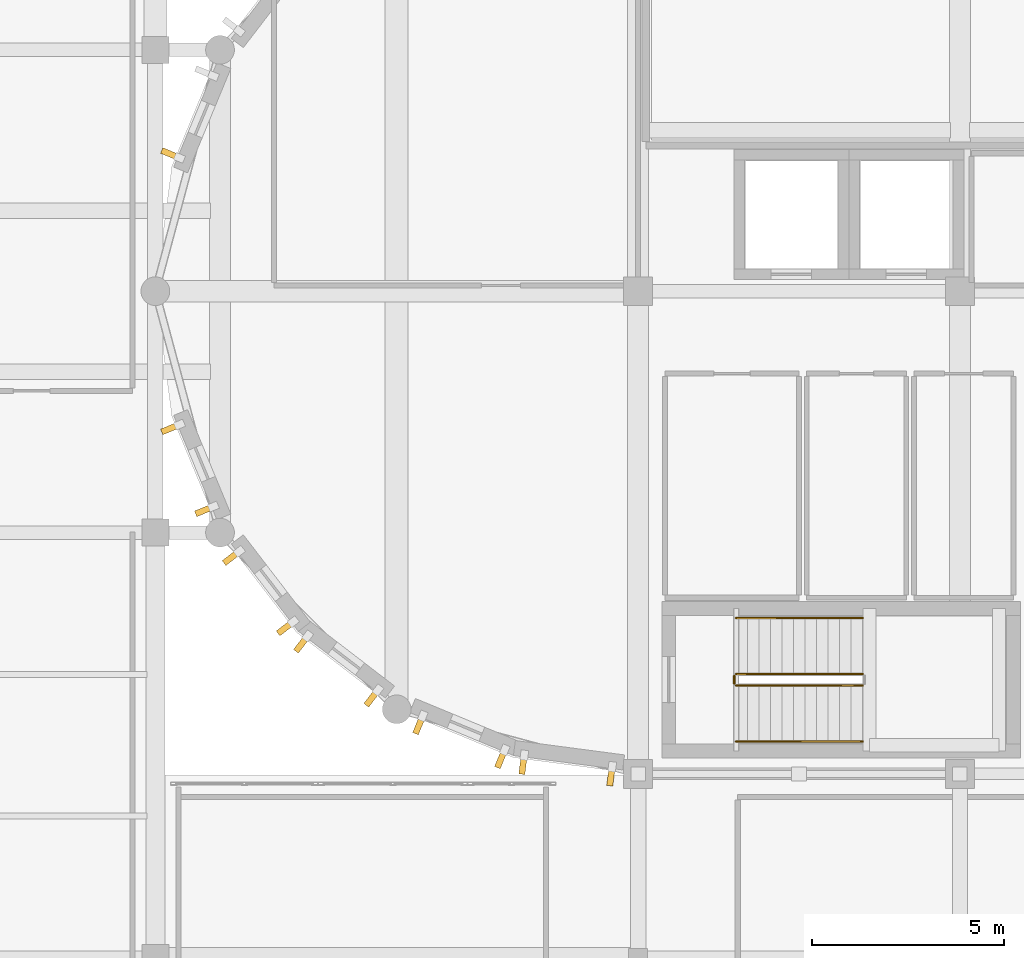
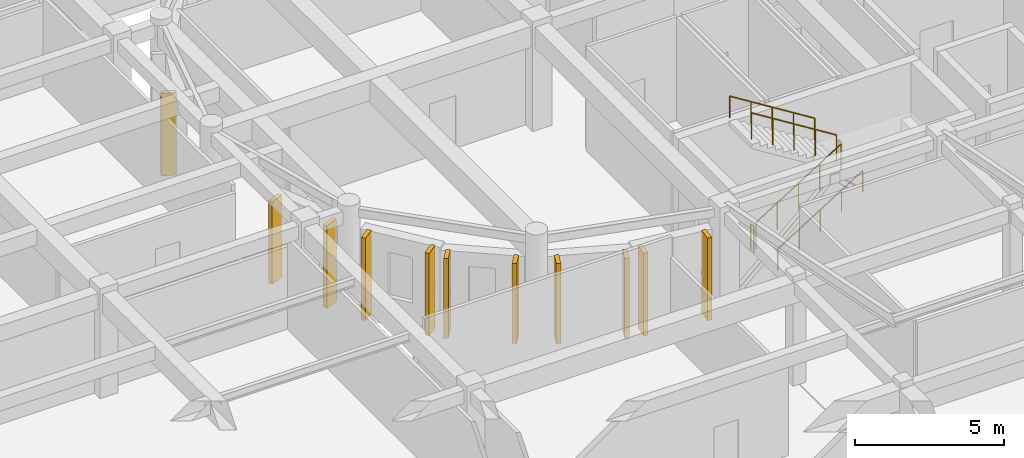
# One storey, part 84 of 91: 11 coverings, 5 railings.
"""IFC4 building model written with IfcOpenShell, lengths in metres."""

import ifcopenshell
import ifcopenshell.guid

model = None  # the IFC model being written
_history = None  # IfcOwnerHistory: only IFC2X3 demands one
_inside = {}  # id of a spatial element -> (the spatial element, [elements in it])
_under = {}  # id of a project, library or spatial element -> (it, [spatial elements below it])
_declared = {}  # id of a project -> (the project, [libraries it declares])
_typed = {}  # id of a type object -> (the type object, [elements of that type])
_made_of = {}  # id of a material, layer set ... -> (it, [elements and type objects made of it])


def new_model(schema):
    """Start an empty IFC model of exactly this schema.

    Asked for "IFC4X3", IfcOpenShell would pick the latest addendum, in which some entities
    have other attributes; the version numbers below select the first issue.
    IFC2X3 requires an IfcOwnerHistory on every rooted entity: one is made here for all.
    """
    global model, _history
    if schema == "IFC4X3":
        model = ifcopenshell.file(schema_version=(4, 3, 0, 0))
    else:
        model = ifcopenshell.file(schema=schema)
    _inside.clear()
    _under.clear()
    _declared.clear()
    _typed.clear()
    _made_of.clear()
    _history = None
    if model.schema == "IFC2X3":
        org = make("IfcOrganization", Name="unknown")
        user = make(
            "IfcPersonAndOrganization",
            ThePerson=make("IfcPerson", FamilyName="unknown"),
            TheOrganization=org,
        )
        app = make(
            "IfcApplication",
            ApplicationDeveloper=org,
            Version="unknown",
            ApplicationFullName="unknown",
            ApplicationIdentifier="unknown",
        )
        _history = make(
            "IfcOwnerHistory",
            OwningUser=user,
            OwningApplication=app,
            ChangeAction="ADDED",
            CreationDate=0,
        )
    return model


def make(cls, **values):
    """One entity of the class cls with the attributes given. An attribute that is None is left unset."""
    return model.create_entity(
        cls, **{name: value for name, value in values.items() if value is not None}
    )


def rooted(cls, **values):
    """An entity with a GlobalId (a new one), such as an element, a storey or a relation."""
    return make(cls, GlobalId=ifcopenshell.guid.new(), OwnerHistory=_history, **values)


def si_unit(unit_type, name, prefix=None):
    """IfcSIUnit, for example si_unit("LENGTHUNIT", "METRE", prefix="MILLI")."""
    return make("IfcSIUnit", UnitType=unit_type, Prefix=prefix, Name=name)


def assignment(units):
    """IfcUnitAssignment: the units of a project."""
    return None if units is None else make("IfcUnitAssignment", Units=units)


def point(xyz):
    """IfcCartesianPoint."""
    return None if xyz is None else make("IfcCartesianPoint", Coordinates=xyz)


def direction(xyz):
    """IfcDirection."""
    return None if xyz is None else make("IfcDirection", DirectionRatios=xyz)


def frame(location, z_axis=None, x_axis=None):
    """IfcAxis2Placement3D, a coordinate frame: its origin and axes. An axis left out is left unset."""
    return make(
        "IfcAxis2Placement3D",
        Location=point(location),
        Axis=direction(z_axis),
        RefDirection=direction(x_axis),
    )


def frame_2d(location, x_axis=None):
    """IfcAxis2Placement2D, a coordinate frame in the plane: its origin and x axis."""
    return make(
        "IfcAxis2Placement2D", Location=point(location), RefDirection=direction(x_axis)
    )


def origin():
    """The frame at (0, 0, 0) with its axes left unset."""
    return frame((0.0, 0.0, 0.0))


def origin_2d():
    """The frame at (0, 0) in the plane with its x axis left unset."""
    return frame_2d((0.0, 0.0))


def place(relative_to, where):
    """IfcLocalPlacement: puts the frame where relative to a parent placement (None: the world)."""
    return make(
        "IfcLocalPlacement", PlacementRelTo=relative_to, RelativePlacement=where
    )


def context(
    kind, dimensions, precision=None, world=None, true_north=None, identifier=None
):
    """IfcGeometricRepresentationContext, for example the 3D "Model" context."""
    return make(
        "IfcGeometricRepresentationContext",
        ContextIdentifier=identifier,
        ContextType=kind,
        CoordinateSpaceDimension=dimensions,
        Precision=precision,
        WorldCoordinateSystem=world,
        TrueNorth=true_north,
    )


def subcontext(parent, identifier, kind, view, scale=None):
    """IfcGeometricRepresentationSubContext, for example "Body" below "Model"."""
    return make(
        "IfcGeometricRepresentationSubContext",
        ContextIdentifier=identifier,
        ContextType=kind,
        ParentContext=parent,
        TargetScale=scale,
        TargetView=view,
    )


def project(units=None, contexts=None):
    """IfcProject with its units and contexts."""
    return rooted(
        "IfcProject",
        Name="project",
        RepresentationContexts=contexts,
        UnitsInContext=assignment(units),
    )


def spatial(cls, under=None, at=None, **own):
    """A site, building, storey or space (cls), placed at a placement, below another one or the project."""
    s = rooted(cls, ObjectPlacement=at, **own)
    if under is not None:
        _under.setdefault(under.id(), (under, []))[1].append(s)
    return s


def profile(cls, at=None, kind="AREA", **sizes):
    """A parametric profile (cls). Its sizes go by their IFC names, for example OverallWidth=200.0."""
    return make(cls, ProfileType=kind, Position=at, **sizes)


def rectangle(**sizes):
    """IfcRectangleProfileDef."""
    return profile("IfcRectangleProfileDef", **sizes)


def circle(**sizes):
    """IfcCircleProfileDef."""
    return profile("IfcCircleProfileDef", **sizes)


def extrude(swept, where, along, depth):
    """IfcExtrudedAreaSolid: the profile swept, set in the frame where, extruded along a direction by depth."""
    return make(
        "IfcExtrudedAreaSolid",
        SweptArea=swept,
        Position=where,
        ExtrudedDirection=direction(along),
        Depth=depth,
    )


def shape(context_of_items, identifier, shape_type, items):
    """IfcShapeRepresentation: the items that make up one representation, for example the "Body"."""
    return make(
        "IfcShapeRepresentation",
        ContextOfItems=context_of_items,
        RepresentationIdentifier=identifier,
        RepresentationType=shape_type,
        Items=items,
    )


def material(Name=None, Category=None):
    """IfcMaterial."""
    return make("IfcMaterial", Name=Name, Category=Category)


def layer(
    of_material, thickness, ventilated=None, Name=None, Category=None, Priority=None
):
    """IfcMaterialLayer: one layer of a wall or slab, of a material (None: an air gap)."""
    return make(
        "IfcMaterialLayer",
        Material=of_material,
        LayerThickness=thickness,
        IsVentilated=ventilated,
        Name=Name,
        Category=Category,
        Priority=Priority,
    )


def layer_set(layers, Name=None):
    """IfcMaterialLayerSet."""
    return make("IfcMaterialLayerSet", MaterialLayers=layers, LayerSetName=Name)


def made_of(thing, what):
    """Note that an element or type object is made of a material, layer set ...; save() writes the relation."""
    if what is not None:
        _made_of.setdefault(what.id(), (what, []))[1].append(thing)
    return thing


def type_object(cls, material=None, **own):
    """A type object (cls), such as IfcWallType, which elements share."""
    return made_of(rooted(cls, **own), material)


def element(
    cls,
    number,
    at=None,
    inside=None,
    cuts=None,
    type_object=None,
    material=None,
    context=None,
    identifier="Body",
    shape_type=None,
    held_by="IfcProductDefinitionShape",
    body=None,
    shapes=None,
    **own,
):
    """One element of the class cls, such as IfcWall. Its Tag is "e" and its number.

    at: its placement. inside: the storey or other place that contains it. cuts: it is an
    opening in that element (IfcRelVoidsElement). A single representation is given by context,
    identifier, shape_type and body (its items); several are given by shapes. held_by: the class
    of the entity that holds the representations. save() writes the other relations.
    """
    e = rooted(cls, Tag="e%d" % number, ObjectPlacement=at, **own)
    if body is not None:
        shapes = [shape(context, identifier, shape_type, body)]
    if shapes is not None:
        e.Representation = make(held_by, Representations=shapes)
    if inside is not None:
        _inside.setdefault(inside.id(), (inside, []))[1].append(e)
    if cuts is not None:
        rooted(
            "IfcRelVoidsElement", RelatingBuildingElement=cuts, RelatedOpeningElement=e
        )
    if type_object is not None:
        _typed.setdefault(type_object.id(), (type_object, []))[1].append(e)
    return made_of(e, material)


def aggregate(whole, parts):
    """IfcRelAggregates: a whole, such as a stair, and the parts it consists of."""
    return rooted("IfcRelAggregates", RelatingObject=whole, RelatedObjects=parts)


def save(model, path):
    """Write the relations noted so far, then the file.

    IfcRelAggregates (storeys below a building ...), IfcRelContainedInSpatialStructure (elements
    in a storey), IfcRelDefinesByType, IfcRelAssociatesMaterial and IfcRelDeclares: one each for
    every whole, place, type object, material and project.
    """
    for whole, parts in _under.values():
        aggregate(whole, parts)
    for where, things in _inside.values():
        rooted(
            "IfcRelContainedInSpatialStructure",
            RelatedElements=things,
            RelatingStructure=where,
        )
    for kind, things in _typed.values():
        rooted("IfcRelDefinesByType", RelatedObjects=things, RelatingType=kind)
    for what, things in _made_of.values():
        rooted("IfcRelAssociatesMaterial", RelatedObjects=things, RelatingMaterial=what)
    for by, libraries in _declared.values():
        rooted("IfcRelDeclares", RelatingContext=by, RelatedDefinitions=libraries)
    model.write(path)


model = new_model("IFC4")

# Units and contexts
model_context = context("Model", 3, precision=1e-05, world=origin(), true_north=direction((0.0, 1.0)))
body_context = subcontext(model_context, "Body", "Model", "MODEL_VIEW")
ifc_project = project(units=[si_unit("LENGTHUNIT", "METRE"), si_unit("AREAUNIT", "SQUARE_METRE"), si_unit("VOLUMEUNIT", "CUBIC_METRE"), si_unit("PLANEANGLEUNIT", "RADIAN"), si_unit("MASSUNIT", "GRAM", prefix="KILO")], contexts=[model_context])

# Site, building, storey
site_placement = place(None, origin())
site = spatial("IfcSite", under=ifc_project, at=site_placement, CompositionType="ELEMENT")
building_placement = place(site_placement, origin())
building = spatial("IfcBuilding", under=site, at=building_placement, Name="Tarnavel Promenade Courthouse", CompositionType="ELEMENT")
storey_placement = place(building_placement, frame((0.0, 0.0, 9.89990234375)))
storey = spatial("IfcBuildingStorey", under=building, at=storey_placement, Name="L03", CompositionType="ELEMENT", Elevation=9.89990234375)

# Railings
ifc_material_1 = material(Name="Brushed Bronze Tubular Stair Handrail")
railing_type_1 = type_object("IfcRailingType", Name="Brushed Bronze Tubular Stair Handrail (RL-HND-0900)", PredefinedType="HANDRAIL", material=ifc_material_1)
railing_1_placement = place(storey_placement, frame((61.360107421875, 80.050048828125, 0.1875)))
element("IfcRailing", 1, at=railing_1_placement, inside=storey, type_object=railing_type_1, Name="L03 ST-01 stair handrail 1", PredefinedType="HANDRAIL", context=body_context, shape_type="SweptSolid", body=[
    extrude(circle(Radius=0.02392578125, at=origin_2d()), frame((0.0, 0.0, 0.8759765625), z_axis=(0.847984204989, 0.0, 0.530021497762), x_axis=(0.0, 1.0, 0.0)), (0.0, 0.0, 1.0), 3.891357421875),
    extrude(circle(Radius=0.02099609375, at=origin_2d()), origin(), (0.0, 0.0, 1.0), 0.851806640625),
    extrude(circle(Radius=0.02099609375, at=origin_2d()), frame((0.824951171875, 0.0, 0.515625)), (0.0, 0.0, 1.0), 0.851806640625),
    extrude(circle(Radius=0.02099609375, at=origin_2d()), frame((1.64990234375, 0.0, 1.03125)), (0.0, 0.0, 1.0), 0.851806640625),
    extrude(circle(Radius=0.02099609375, at=origin_2d()), frame((2.474853515625, 0.0, 1.546875)), (0.0, 0.0, 1.0), 0.851806640625),
    extrude(circle(Radius=0.02099609375, at=origin_2d()), frame((3.2998046875, 0.0, 2.0625)), (0.0, 0.0, 1.0), 0.851806640625),
])
railing_2_placement = place(storey_placement, frame((64.659912109375, 83.27001953125, 2.4375)))
element("IfcRailing", 2, at=railing_2_placement, inside=storey, type_object=railing_type_1, Name="L03 ST-01 stair handrail 2", PredefinedType="HANDRAIL", context=body_context, shape_type="SweptSolid", body=[
    extrude(circle(Radius=0.02392578125, at=origin_2d()), frame((0.0, 0.0, 0.8759765625), z_axis=(-0.847984204989, 0.0, 0.530021497762), x_axis=(0.0, -1.0, 0.0)), (0.0, 0.0, 1.0), 3.891357421875),
    extrude(circle(Radius=0.02099609375, at=origin_2d()), origin(), (0.0, 0.0, 1.0), 0.851806640625),
    extrude(circle(Radius=0.02099609375, at=origin_2d()), frame((-0.824951171875, 0.0, 0.515625)), (0.0, 0.0, 1.0), 0.851806640625),
    extrude(circle(Radius=0.02099609375, at=origin_2d()), frame((-1.64990234375, 0.0, 1.03125)), (0.0, 0.0, 1.0), 0.851806640625),
    extrude(circle(Radius=0.02099609375, at=origin_2d()), frame((-2.474853515625, 0.0, 1.546875)), (0.0, 0.0, 1.0), 0.851806640625),
    extrude(circle(Radius=0.02099609375, at=origin_2d()), frame((-3.2998046875, 0.0, 2.0625)), (0.0, 0.0, 1.0), 0.851806640625),
])
ifc_material_2 = material(Name="Painted Architectural Steel Core Stair Guardrail", Category="steel")
railing_type_2 = type_object("IfcRailingType", Name="Painted Architectural Steel Core Stair Guardrail (RL-GRD-1100)", PredefinedType="GUARDRAIL", material=ifc_material_2)
railing_3_placement = place(storey_placement, frame((61.360107421875, 81.510009765625, 0.1875)))
element("IfcRailing", 3, at=railing_3_placement, inside=storey, type_object=railing_type_2, Name="L03 ST-01 stair guard 1", PredefinedType="GUARDRAIL", context=body_context, shape_type="SweptSolid", body=[
    extrude(circle(Radius=0.02392578125, at=origin_2d()), frame((0.0, 0.0, 1.076171875), z_axis=(0.847984204989, 0.0, 0.530021497762), x_axis=(0.0, 1.0, 0.0)), (0.0, 0.0, 1.0), 3.891357421875),
    extrude(circle(Radius=0.02099609375, at=origin_2d()), origin(), (0.0, 0.0, 1.0), 1.052001953125),
    extrude(circle(Radius=0.02099609375, at=origin_2d()), frame((0.824951171875, 0.0, 0.515625)), (0.0, 0.0, 1.0), 1.052001953125),
    extrude(circle(Radius=0.02099609375, at=origin_2d()), frame((1.64990234375, 0.0, 1.03125)), (0.0, 0.0, 1.0), 1.052001953125),
    extrude(circle(Radius=0.02099609375, at=origin_2d()), frame((2.474853515625, 0.0, 1.546875)), (0.0, 0.0, 1.0), 1.052001953125),
    extrude(circle(Radius=0.02099609375, at=origin_2d()), frame((3.2998046875, 0.0, 2.0625)), (0.0, 0.0, 1.0), 1.052001953125),
])
railing_4_placement = place(storey_placement, frame((64.659912109375, 81.81005859375, 2.4375)))
element("IfcRailing", 4, at=railing_4_placement, inside=storey, type_object=railing_type_2, Name="L03 ST-01 stair guard 3", PredefinedType="GUARDRAIL", context=body_context, shape_type="SweptSolid", body=[
    extrude(circle(Radius=0.02392578125, at=origin_2d()), frame((0.0, 0.0, 1.076171875), z_axis=(-0.847984204989, 0.0, 0.530021497762), x_axis=(0.0, -1.0, 0.0)), (0.0, 0.0, 1.0), 3.891357421875),
    extrude(circle(Radius=0.02099609375, at=origin_2d()), origin(), (0.0, 0.0, 1.0), 1.052001953125),
    extrude(circle(Radius=0.02099609375, at=origin_2d()), frame((-0.824951171875, 0.0, 0.515625)), (0.0, 0.0, 1.0), 1.052001953125),
    extrude(circle(Radius=0.02099609375, at=origin_2d()), frame((-1.64990234375, 0.0, 1.03125)), (0.0, 0.0, 1.0), 1.052001953125),
    extrude(circle(Radius=0.02099609375, at=origin_2d()), frame((-2.474853515625, 0.0, 1.546875)), (0.0, 0.0, 1.0), 1.052001953125),
    extrude(circle(Radius=0.02099609375, at=origin_2d()), frame((-3.2998046875, 0.0, 2.0625)), (0.0, 0.0, 1.0), 1.052001953125),
])
railing_5_placement = place(storey_placement, frame((61.31005859375, 81.56005859375, 0.0)))
element("IfcRailing", 5, at=railing_5_placement, inside=storey, type_object=railing_type_2, Name="L03 ST-01 stair guard 4", PredefinedType="GUARDRAIL", context=body_context, shape_type="SweptSolid", body=[
    extrude(circle(Radius=0.02392578125, at=origin_2d()), frame((0.0, 0.0, 1.076171875), z_axis=(0.0, 1.0, 0.0), x_axis=(-1.0, 0.0, 0.0)), (0.0, 0.0, 1.0), 0.199951171875),
    extrude(circle(Radius=0.02099609375, at=origin_2d()), origin(), (0.0, 0.0, 1.0), 1.052001953125),
    extrude(circle(Radius=0.02099609375, at=origin_2d()), frame((0.0, 0.199951171875, 0.0)), (0.0, 0.0, 1.0), 1.052001953125),
])

# Coverings
ifc_material_3 = material(Name="Patinated Copper-Bronze Fluted Pier Cladding")
ifc_layer = layer(ifc_material_3, 0.52001953125)
ifc_layer_set = layer_set([ifc_layer], Name="Patinated Copper-Bronze Fluted Pier Cladding")
covering_type = type_object("IfcCoveringType", Name="Patinated Copper-Bronze Fluted Pier Cladding COV-PIER-520 (520 mm)", PredefinedType="CLADDING", material=ifc_layer_set)
for number, where, z_axis, x_axis, name in (
    (6, (46.607177734375, 95.373291015625, 0.000244140625), (0.0, 0.0, 1.0), (-0.382683432365, -0.923879532511, 0.0), "L03 W Drum Fluted Copper Pier 0070"),
    (7, (46.607177734375, 88.2265625, 0.000244140625), (0.0, 0.0, 1.0), (0.382683432365, -0.923879532511, 0.0), "L03 W Drum Fluted Copper Pier 0071"),
    (8, (47.492919921875, 86.08837890625, 0.000244140625), (0.0, 0.0, 1.0), (0.382683432365, -0.923879532511, 0.0), "L03 W Drum Fluted Copper Pier 0072"),
    (9, (48.2001953125, 84.86328125, 0.000244140625), (0.0, 0.0, 1.0), (0.608761429009, -0.793353340291, 0.0), "L03 W Drum Fluted Copper Pier 0073"),
    (10, (49.60888671875, 83.02734375, 0.000244140625), (0.0, 0.0, 1.0), (0.608761429009, -0.793353340291, 0.0), "L03 W Drum Fluted Copper Pier 0074"),
):
    element("IfcCovering", number, at=place(storey_placement, frame(where, z_axis=z_axis, x_axis=x_axis)), inside=storey, type_object=covering_type, Name=name, PredefinedType="CLADDING", context=body_context, shape_type="SweptSolid", body=[
        extrude(rectangle(XDim=0.159912109375, YDim=0.52001953125, at=origin_2d()), origin(), (0.0, 0.0, 1.0), 3.3798828125),
    ])
for number, where, z_axis, x_axis, name in (
    (11, (50.02734375, 82.60888671875, 0.0), (0.0, 0.0, 1.0), (0.793353340291, -0.608761429009, 0.0), "L03 W Drum Fluted Copper Pier 0075"),
    (12, (51.86328125, 81.2001953125, 0.0), (0.0, 0.0, 1.0), (0.793353340291, -0.608761429009, 0.0), "L03 W Drum Fluted Copper Pier 0076"),
    (13, (53.08837890625, 80.492919921875, 0.0), (0.0, 0.0, 1.0), (0.923879532511, -0.382683432365, 0.0), "L03 W Drum Fluted Copper Pier 0077"),
    (14, (55.2265625, 79.607177734375, 0.0), (0.0, 0.0, 1.0), (0.923879532511, -0.382683432365, 0.0), "L03 W Drum Fluted Copper Pier 0078"),
):
    element("IfcCovering", number, at=place(storey_placement, frame(where, z_axis=z_axis, x_axis=x_axis)), inside=storey, type_object=covering_type, Name=name, PredefinedType="CLADDING", context=body_context, shape_type="SweptSolid", body=[
        extrude(rectangle(XDim=0.159912109375, YDim=0.52001953125, at=origin_2d()), origin(), (0.0, 0.0, 1.0), 3.280029296875),
    ])
for number, where, z_axis, x_axis, name in (
    (15, (55.798095703125, 79.4541015625, 0.000244140625), (0.0, 0.0, 1.0), (0.991444861374, -0.13052619222, 0.0), "L03 W Drum Fluted Copper Pier 0079"),
    (16, (58.0927734375, 79.15185546875, 0.000244140625), (0.0, 0.0, 1.0), (0.991444861374, -0.13052619222, 0.0), "L03 W Drum Fluted Copper Pier 0080"),
):
    element("IfcCovering", number, at=place(storey_placement, frame(where, z_axis=z_axis, x_axis=x_axis)), inside=storey, type_object=covering_type, Name=name, PredefinedType="CLADDING", context=body_context, shape_type="SweptSolid", body=[
        extrude(rectangle(XDim=0.159912109375, YDim=0.52001953125, at=origin_2d()), origin(), (0.0, 0.0, 1.0), 3.3798828125),
    ])

save(model, "model.ifc")
